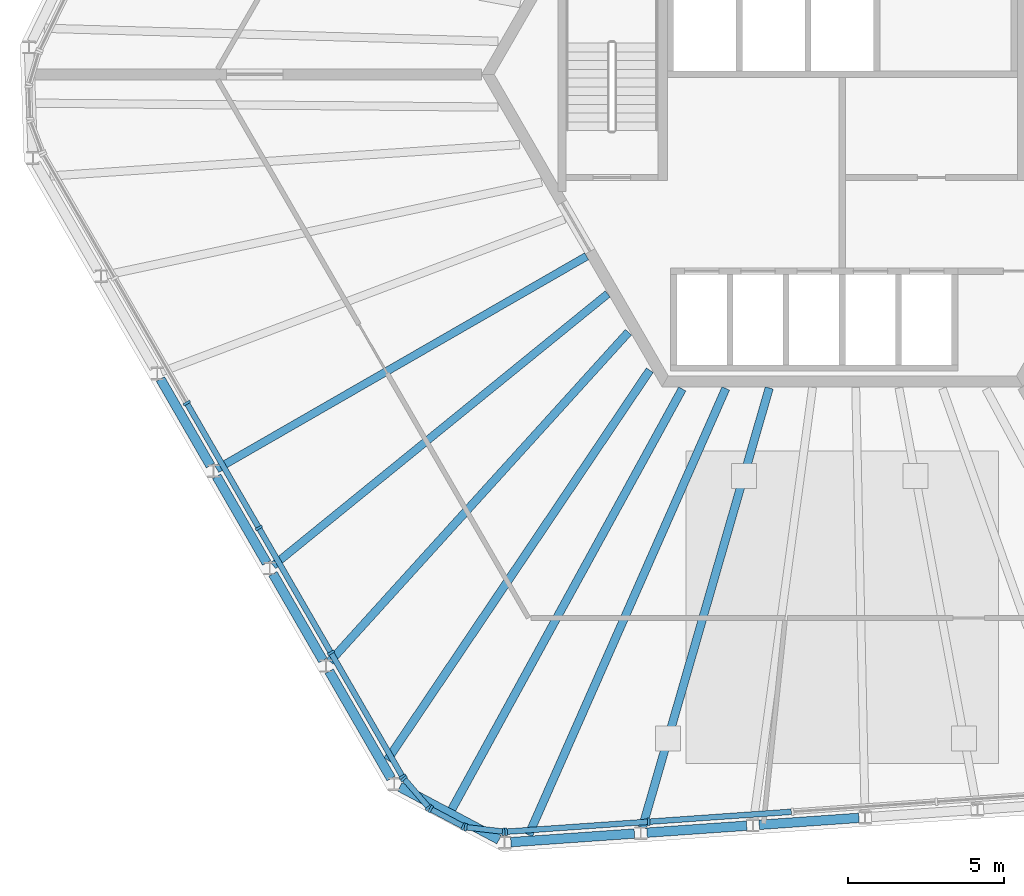
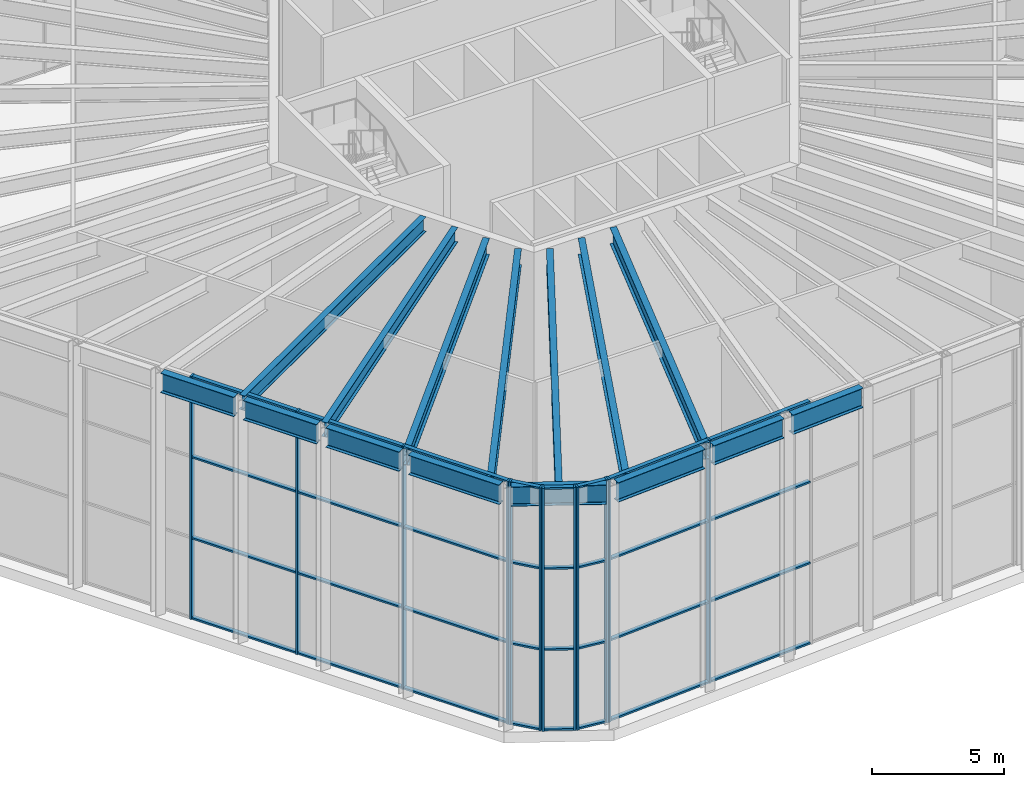
# One storey, part 2 of 17: 44 members, 15 beams, 5 elements without a shape of their own.
"""IFC4 building model written with IfcOpenShell, lengths in metres."""

from ifc_helpers import new_model, si_unit, direction, frame, origin, origin_2d, place, context, subcontext, project, spatial, rectangle, i_section, extrude, material, material_profile, profile_set, type_object, element, aggregate, save


model = new_model("IFC4")

# Units and contexts
model_context = context("Model", 3, precision=1e-05, world=origin(), true_north=direction((0.0, 1.0)))
body_context = subcontext(model_context, "Body", "Model", "MODEL_VIEW")
ifc_project = project(units=[si_unit("LENGTHUNIT", "METRE"), si_unit("AREAUNIT", "SQUARE_METRE"), si_unit("VOLUMEUNIT", "CUBIC_METRE"), si_unit("PLANEANGLEUNIT", "RADIAN"), si_unit("MASSUNIT", "GRAM", prefix="KILO")], contexts=[model_context])

# Site, building, storey
site_placement = place(None, origin())
site = spatial("IfcSite", under=ifc_project, at=site_placement, CompositionType="ELEMENT")
building_placement = place(site_placement, origin())
building = spatial("IfcBuilding", under=site, at=building_placement, Name="Tarnside Tower", CompositionType="ELEMENT")
storey_placement = place(building_placement, frame((0.0, 0.0, 376.800048828125)))
storey = spatial("IfcBuildingStorey", under=building, at=storey_placement, Name="L91", CompositionType="ELEMENT", Elevation=376.800048828125)

# Curtain wall, members
ifc_material_1 = material(Name="Damper hall glazing wall", Category="glass")
curtain_wall_type = type_object("IfcCurtainWallType", Name="Damper hall glazing wall", PredefinedType="NOTDEFINED", material=ifc_material_1)
curtain_wall_1_placement = place(storey_placement, origin())
curtain_wall_1 = element("IfcCurtainWall", 1, at=curtain_wall_1_placement, inside=storey, type_object=curtain_wall_type, Name="Damper hall glazing L91 12", PredefinedType="NOTDEFINED")
ifc_material_2 = material(Name="Aluminium alloy 6063", Category="aluminium")
ifc_material_profile_1 = material_profile(ifc_material_2, rectangle(XDim=0.239990234375, YDim=0.080078125, at=origin_2d()), Name="Damper hall glazing mullion 80 x 240")
ifc_profile_set_1 = profile_set([ifc_material_profile_1], Name="Aluminium alloy 6063")
member_type_1 = type_object("IfcMemberType", Name="Damper hall glazing mullion 80 x 240", PredefinedType="MULLION", material=ifc_profile_set_1)
member_1_placement = place(storey_placement, frame((-6.197509765625, -23.920654296875, 0.0), z_axis=(0.0, 0.0, 1.0), x_axis=(0.069756473744, -0.99756405026, 0.0)))
member_1 = element("IfcMember", 2, at=member_1_placement, type_object=member_type_1, Name="CW5 mullion 5", PredefinedType="MULLION", context=body_context, shape_type="SweptSolid", body=[
    extrude(rectangle(XDim=0.239990234375, YDim=0.080078125, at=origin_2d()), origin(), (0.0, 0.0, 1.0), 11.199951171875),
])
member_2_placement = place(storey_placement, frame((-10.760498046875, -24.23974609375, 0.0), z_axis=(0.0, 0.0, 1.0), x_axis=(0.069756473744, -0.99756405026, 0.0)))
member_2 = element("IfcMember", 3, at=member_2_placement, type_object=member_type_1, Name="CW5 mullion 6", PredefinedType="MULLION", context=body_context, shape_type="SweptSolid", body=[
    extrude(rectangle(XDim=0.239990234375, YDim=0.080078125, at=origin_2d()), origin(), (0.0, 0.0, 1.0), 11.199951171875),
])

curtain_wall_2_placement = place(storey_placement, origin())
curtain_wall_2 = element("IfcCurtainWall", 4, at=curtain_wall_2_placement, inside=storey, type_object=curtain_wall_type, Name="Damper hall glazing L91 13", PredefinedType="NOTDEFINED")
member_3_placement = place(storey_placement, frame((-10.840087890625, -24.23779296875, 0.0), z_axis=(0.0, 0.0, 1.0), x_axis=(-0.11609291394, -0.993238357764, 0.0)))
member_3 = element("IfcMember", 5, at=member_3_placement, type_object=member_type_1, Name="CW5 mullion 1", PredefinedType="MULLION", context=body_context, shape_type="SweptSolid", body=[
    extrude(rectangle(XDim=0.239990234375, YDim=0.080078125, at=origin_2d()), origin(), (0.0, 0.0, 1.0), 11.199951171875),
])
member_4_placement = place(storey_placement, frame((-12.05224609375, -24.09619140625, 0.0), z_axis=(0.0, 0.0, 1.0), x_axis=(-0.11609291394, -0.993238357764, 0.0)))
member_4 = element("IfcMember", 6, at=member_4_placement, type_object=member_type_1, Name="CW5 mullion 2", PredefinedType="MULLION", context=body_context, shape_type="SweptSolid", body=[
    extrude(rectangle(XDim=0.239990234375, YDim=0.080078125, at=origin_2d()), origin(), (0.0, 0.0, 1.0), 11.199951171875),
])

curtain_wall_3_placement = place(storey_placement, origin())
curtain_wall_3 = element("IfcCurtainWall", 7, at=curtain_wall_3_placement, inside=storey, type_object=curtain_wall_type, Name="Damper hall glazing L91 14", PredefinedType="NOTDEFINED")
member_5_placement = place(storey_placement, frame((-12.127197265625, -24.07275390625, 0.0), z_axis=(0.0, 0.0, 1.0), x_axis=(-0.469471563032, -0.882947592728, 0.0)))
member_5 = element("IfcMember", 8, at=member_5_placement, type_object=member_type_1, Name="CW5 mullion 1", PredefinedType="MULLION", context=body_context, shape_type="SweptSolid", body=[
    extrude(rectangle(XDim=0.239990234375, YDim=0.080078125, at=origin_2d()), origin(), (0.0, 0.0, 1.0), 11.199951171875),
])
member_6_placement = place(storey_placement, frame((-13.17578125, -23.51513671875, 0.0), z_axis=(0.0, 0.0, 1.0), x_axis=(-0.469471563032, -0.882947592728, 0.0)))
member_6 = element("IfcMember", 9, at=member_6_placement, type_object=member_type_1, Name="CW5 mullion 2", PredefinedType="MULLION", context=body_context, shape_type="SweptSolid", body=[
    extrude(rectangle(XDim=0.239990234375, YDim=0.080078125, at=origin_2d()), origin(), (0.0, 0.0, 1.0), 11.199951171875),
])

curtain_wall_4_placement = place(storey_placement, origin())
curtain_wall_4 = element("IfcCurtainWall", 10, at=curtain_wall_4_placement, inside=storey, type_object=curtain_wall_type, Name="Damper hall glazing L91 15", PredefinedType="NOTDEFINED")
member_7_placement = place(storey_placement, frame((-13.237060546875, -23.466064453125, 0.0), z_axis=(0.0, 0.0, 1.0), x_axis=(-0.758513583322, -0.651657228852, 0.0)))
member_7 = element("IfcMember", 11, at=member_7_placement, type_object=member_type_1, Name="CW5 mullion 1", PredefinedType="MULLION", context=body_context, shape_type="SweptSolid", body=[
    extrude(rectangle(XDim=0.239990234375, YDim=0.080078125, at=origin_2d()), origin(), (0.0, 0.0, 1.0), 11.199951171875),
])
member_8_placement = place(storey_placement, frame((-14.0322265625, -22.54052734375, 0.0), z_axis=(0.0, 0.0, 1.0), x_axis=(-0.758513583322, -0.651657228852, 0.0)))
member_8 = element("IfcMember", 12, at=member_8_placement, type_object=member_type_1, Name="CW5 mullion 2", PredefinedType="MULLION", context=body_context, shape_type="SweptSolid", body=[
    extrude(rectangle(XDim=0.239990234375, YDim=0.080078125, at=origin_2d()), origin(), (0.0, 0.0, 1.0), 11.199951171875),
])

curtain_wall_5_placement = place(storey_placement, origin())
curtain_wall_5 = element("IfcCurtainWall", 13, at=curtain_wall_5_placement, inside=storey, type_object=curtain_wall_type, Name="Damper hall glazing L91 16", PredefinedType="NOTDEFINED")
member_9_placement = place(storey_placement, frame((-14.078369140625, -22.4755859375, 0.0), z_axis=(0.0, 0.0, 1.0), x_axis=(-0.866025403767, -0.50000000003, 0.0)))
member_9 = element("IfcMember", 14, at=member_9_placement, type_object=member_type_1, Name="CW5 mullion 1", PredefinedType="MULLION", context=body_context, shape_type="SweptSolid", body=[
    extrude(rectangle(XDim=0.239990234375, YDim=0.080078125, at=origin_2d()), origin(), (0.0, 0.0, 1.0), 11.199951171875),
])
member_10_placement = place(storey_placement, frame((-16.365478515625, -18.51416015625, 0.0), z_axis=(0.0, 0.0, 1.0), x_axis=(-0.866025403767, -0.50000000003, 0.0)))
member_10 = element("IfcMember", 15, at=member_10_placement, type_object=member_type_1, Name="CW5 mullion 2", PredefinedType="MULLION", context=body_context, shape_type="SweptSolid", body=[
    extrude(rectangle(XDim=0.239990234375, YDim=0.080078125, at=origin_2d()), origin(), (0.0, 0.0, 1.0), 11.199951171875),
])
member_11_placement = place(storey_placement, frame((-18.672607421875, -14.51806640625, 0.0), z_axis=(0.0, 0.0, 1.0), x_axis=(-0.866025403767, -0.50000000003, 0.0)))
member_11 = element("IfcMember", 16, at=member_11_placement, type_object=member_type_1, Name="CW5 mullion 3", PredefinedType="MULLION", context=body_context, shape_type="SweptSolid", body=[
    extrude(rectangle(XDim=0.239990234375, YDim=0.080078125, at=origin_2d()), origin(), (0.0, 0.0, 1.0), 11.199951171875),
])
member_12_placement = place(storey_placement, frame((-20.979736328125, -10.52197265625, 0.0), z_axis=(0.0, 0.0, 1.0), x_axis=(-0.866025403767, -0.50000000003, 0.0)))
member_12 = element("IfcMember", 17, at=member_12_placement, type_object=member_type_1, Name="CW5 mullion 4", PredefinedType="MULLION", context=body_context, shape_type="SweptSolid", body=[
    extrude(rectangle(XDim=0.239990234375, YDim=0.080078125, at=origin_2d()), origin(), (0.0, 0.0, 1.0), 11.199951171875),
])

# Member
ifc_material_profile_2 = material_profile(ifc_material_2, rectangle(XDim=0.179931640625, YDim=0.080078125, at=origin_2d()), Name="Damper hall glazing transom 80 x 180")
ifc_profile_set_2 = profile_set([ifc_material_profile_2], Name="Aluminium alloy 6063")
member_type_2 = type_object("IfcMemberType", Name="Damper hall glazing transom 80 x 180", PredefinedType="USERDEFINED", material=ifc_profile_set_2)
member_13_placement = place(storey_placement, frame((-1.63427734375, -23.6015625, 0.0400390625), z_axis=(-0.997566050815, -0.069727858574, 0.0), x_axis=(0.069727858574, -0.997566050815, 0.0)))
member_13 = element("IfcMember", 18, at=member_13_placement, type_object=member_type_2, Name="CW5 transom 4.1", ObjectType="TRANSOM", PredefinedType="USERDEFINED", context=body_context, shape_type="SweptSolid", body=[
    extrude(rectangle(XDim=0.179931640625, YDim=0.080078125, at=origin_2d()), origin(), (0.0, 0.0, 1.0), 4.5341796875),
])

member_14_placement = place(storey_placement, frame((-1.63427734375, -23.6015625, 3.733154296875), z_axis=(-0.997566050815, -0.069727858574, 0.0), x_axis=(0.069727858574, -0.997566050815, 0.0)))
member_14 = element("IfcMember", 19, at=member_14_placement, type_object=member_type_2, Name="CW5 transom 4.2", ObjectType="TRANSOM", PredefinedType="USERDEFINED", context=body_context, shape_type="SweptSolid", body=[
    extrude(rectangle(XDim=0.179931640625, YDim=0.080078125, at=origin_2d()), origin(), (0.0, 0.0, 1.0), 4.5341796875),
])

member_15_placement = place(storey_placement, frame((-1.63427734375, -23.6015625, 7.466552734375), z_axis=(-0.997566050815, -0.069727858574, 0.0), x_axis=(0.069727858574, -0.997566050815, 0.0)))
member_15 = element("IfcMember", 20, at=member_15_placement, type_object=member_type_2, Name="CW5 transom 4.3", ObjectType="TRANSOM", PredefinedType="USERDEFINED", context=body_context, shape_type="SweptSolid", body=[
    extrude(rectangle(XDim=0.179931640625, YDim=0.080078125, at=origin_2d()), origin(), (0.0, 0.0, 1.0), 4.5341796875),
])

member_16_placement = place(storey_placement, frame((-1.63427734375, -23.6015625, 11.159912109375), z_axis=(-0.997566050815, -0.069727858574, 0.0), x_axis=(0.069727858574, -0.997566050815, 0.0)))
member_16 = element("IfcMember", 21, at=member_16_placement, type_object=member_type_2, Name="CW5 transom 4.4", ObjectType="TRANSOM", PredefinedType="USERDEFINED", context=body_context, shape_type="SweptSolid", body=[
    extrude(rectangle(XDim=0.179931640625, YDim=0.080078125, at=origin_2d()), origin(), (0.0, 0.0, 1.0), 4.5341796875),
])

member_17_placement = place(storey_placement, frame((-6.2373046875, -23.92333984375, 0.0400390625), z_axis=(-0.997564564225, -0.06974912331, 0.0), x_axis=(0.06974912331, -0.997564564225, 0.0)))
member_17 = element("IfcMember", 22, at=member_17_placement, type_object=member_type_2, Name="CW5 transom 5.1", ObjectType="TRANSOM", PredefinedType="USERDEFINED", context=body_context, shape_type="SweptSolid", body=[
    extrude(rectangle(XDim=0.179931640625, YDim=0.080078125, at=origin_2d()), origin(), (0.0, 0.0, 1.0), 4.494384765625),
])

member_18_placement = place(storey_placement, frame((-6.2373046875, -23.92333984375, 3.733154296875), z_axis=(-0.997564564225, -0.06974912331, 0.0), x_axis=(0.06974912331, -0.997564564225, 0.0)))
member_18 = element("IfcMember", 23, at=member_18_placement, type_object=member_type_2, Name="CW5 transom 5.2", ObjectType="TRANSOM", PredefinedType="USERDEFINED", context=body_context, shape_type="SweptSolid", body=[
    extrude(rectangle(XDim=0.179931640625, YDim=0.080078125, at=origin_2d()), origin(), (0.0, 0.0, 1.0), 4.494384765625),
])

member_19_placement = place(storey_placement, frame((-6.2373046875, -23.92333984375, 7.466552734375), z_axis=(-0.997564564225, -0.06974912331, 0.0), x_axis=(0.06974912331, -0.997564564225, 0.0)))
member_19 = element("IfcMember", 24, at=member_19_placement, type_object=member_type_2, Name="CW5 transom 5.3", ObjectType="TRANSOM", PredefinedType="USERDEFINED", context=body_context, shape_type="SweptSolid", body=[
    extrude(rectangle(XDim=0.179931640625, YDim=0.080078125, at=origin_2d()), origin(), (0.0, 0.0, 1.0), 4.494384765625),
])

member_20_placement = place(storey_placement, frame((-6.2373046875, -23.92333984375, 11.159912109375), z_axis=(-0.997564564225, -0.06974912331, 0.0), x_axis=(0.06974912331, -0.997564564225, 0.0)))
member_20 = element("IfcMember", 25, at=member_20_placement, type_object=member_type_2, Name="CW5 transom 5.4", ObjectType="TRANSOM", PredefinedType="USERDEFINED", context=body_context, shape_type="SweptSolid", body=[
    extrude(rectangle(XDim=0.179931640625, YDim=0.080078125, at=origin_2d()), origin(), (0.0, 0.0, 1.0), 4.494384765625),
])

aggregate(curtain_wall_1, [member_1, member_2, member_13, member_14, member_15, member_16, member_17, member_18, member_19, member_20])

member_21_placement = place(storey_placement, frame((-10.8798828125, -24.233154296875, 0.0400390625), z_axis=(-0.993243821028, 0.116046163181, 0.0), x_axis=(-0.116046163181, -0.993243821028, 0.0)))
member_21 = element("IfcMember", 26, at=member_21_placement, type_object=member_type_2, Name="CW5 transom 1.1", ObjectType="TRANSOM", PredefinedType="USERDEFINED", context=body_context, shape_type="SweptSolid", body=[
    extrude(rectangle(XDim=0.179931640625, YDim=0.080078125, at=origin_2d()), origin(), (0.0, 0.0, 1.0), 1.140380859375),
])

member_22_placement = place(storey_placement, frame((-10.8798828125, -24.233154296875, 3.733154296875), z_axis=(-0.993243821028, 0.116046163181, 0.0), x_axis=(-0.116046163181, -0.993243821028, 0.0)))
member_22 = element("IfcMember", 27, at=member_22_placement, type_object=member_type_2, Name="CW5 transom 1.2", ObjectType="TRANSOM", PredefinedType="USERDEFINED", context=body_context, shape_type="SweptSolid", body=[
    extrude(rectangle(XDim=0.179931640625, YDim=0.080078125, at=origin_2d()), origin(), (0.0, 0.0, 1.0), 1.140380859375),
])

member_23_placement = place(storey_placement, frame((-10.8798828125, -24.233154296875, 7.466552734375), z_axis=(-0.993243821028, 0.116046163181, 0.0), x_axis=(-0.116046163181, -0.993243821028, 0.0)))
member_23 = element("IfcMember", 28, at=member_23_placement, type_object=member_type_2, Name="CW5 transom 1.3", ObjectType="TRANSOM", PredefinedType="USERDEFINED", context=body_context, shape_type="SweptSolid", body=[
    extrude(rectangle(XDim=0.179931640625, YDim=0.080078125, at=origin_2d()), origin(), (0.0, 0.0, 1.0), 1.140380859375),
])

member_24_placement = place(storey_placement, frame((-10.8798828125, -24.233154296875, 11.159912109375), z_axis=(-0.993243821028, 0.116046163181, 0.0), x_axis=(-0.116046163181, -0.993243821028, 0.0)))
member_24 = element("IfcMember", 29, at=member_24_placement, type_object=member_type_2, Name="CW5 transom 1.4", ObjectType="TRANSOM", PredefinedType="USERDEFINED", context=body_context, shape_type="SweptSolid", body=[
    extrude(rectangle(XDim=0.179931640625, YDim=0.080078125, at=origin_2d()), origin(), (0.0, 0.0, 1.0), 1.140380859375),
])

aggregate(curtain_wall_2, [member_3, member_4, member_21, member_22, member_23, member_24])

member_25_placement = place(storey_placement, frame((-12.16259765625, -24.053955078125, 0.0400390625), z_axis=(-0.882901557815, 0.469558131872, 0.0), x_axis=(-0.469558131872, -0.882901557815, 0.0)))
member_25 = element("IfcMember", 30, at=member_25_placement, type_object=member_type_2, Name="CW5 transom 1.1", ObjectType="TRANSOM", PredefinedType="USERDEFINED", context=body_context, shape_type="SweptSolid", body=[
    extrude(rectangle(XDim=0.179931640625, YDim=0.080078125, at=origin_2d()), origin(), (0.0, 0.0, 1.0), 1.107421875),
])

member_26_placement = place(storey_placement, frame((-12.16259765625, -24.053955078125, 3.733154296875), z_axis=(-0.882901557815, 0.469558131872, 0.0), x_axis=(-0.469558131872, -0.882901557815, 0.0)))
member_26 = element("IfcMember", 31, at=member_26_placement, type_object=member_type_2, Name="CW5 transom 1.2", ObjectType="TRANSOM", PredefinedType="USERDEFINED", context=body_context, shape_type="SweptSolid", body=[
    extrude(rectangle(XDim=0.179931640625, YDim=0.080078125, at=origin_2d()), origin(), (0.0, 0.0, 1.0), 1.107421875),
])

member_27_placement = place(storey_placement, frame((-12.16259765625, -24.053955078125, 7.466552734375), z_axis=(-0.882901557815, 0.469558131872, 0.0), x_axis=(-0.469558131872, -0.882901557815, 0.0)))
member_27 = element("IfcMember", 32, at=member_27_placement, type_object=member_type_2, Name="CW5 transom 1.3", ObjectType="TRANSOM", PredefinedType="USERDEFINED", context=body_context, shape_type="SweptSolid", body=[
    extrude(rectangle(XDim=0.179931640625, YDim=0.080078125, at=origin_2d()), origin(), (0.0, 0.0, 1.0), 1.107421875),
])

member_28_placement = place(storey_placement, frame((-12.16259765625, -24.053955078125, 11.159912109375), z_axis=(-0.882901557815, 0.469558131872, 0.0), x_axis=(-0.469558131872, -0.882901557815, 0.0)))
member_28 = element("IfcMember", 33, at=member_28_placement, type_object=member_type_2, Name="CW5 transom 1.4", ObjectType="TRANSOM", PredefinedType="USERDEFINED", context=body_context, shape_type="SweptSolid", body=[
    extrude(rectangle(XDim=0.179931640625, YDim=0.080078125, at=origin_2d()), origin(), (0.0, 0.0, 1.0), 1.107421875),
])

aggregate(curtain_wall_3, [member_5, member_6, member_25, member_26, member_27, member_28])

member_29_placement = place(storey_placement, frame((-13.26318359375, -23.435791015625, 0.0400390625), z_axis=(-0.651672458206, 0.758500499153, 0.0), x_axis=(-0.758500499153, -0.651672458206, 0.0)))
member_29 = element("IfcMember", 34, at=member_29_placement, type_object=member_type_2, Name="CW5 transom 1.1", ObjectType="TRANSOM", PredefinedType="USERDEFINED", context=body_context, shape_type="SweptSolid", body=[
    extrude(rectangle(XDim=0.179931640625, YDim=0.080078125, at=origin_2d()), origin(), (0.0, 0.0, 1.0), 1.140380859375),
])

member_30_placement = place(storey_placement, frame((-13.26318359375, -23.435791015625, 3.733154296875), z_axis=(-0.651672458206, 0.758500499153, 0.0), x_axis=(-0.758500499153, -0.651672458206, 0.0)))
member_30 = element("IfcMember", 35, at=member_30_placement, type_object=member_type_2, Name="CW5 transom 1.2", ObjectType="TRANSOM", PredefinedType="USERDEFINED", context=body_context, shape_type="SweptSolid", body=[
    extrude(rectangle(XDim=0.179931640625, YDim=0.080078125, at=origin_2d()), origin(), (0.0, 0.0, 1.0), 1.140380859375),
])

member_31_placement = place(storey_placement, frame((-13.26318359375, -23.435791015625, 7.466552734375), z_axis=(-0.651672458206, 0.758500499153, 0.0), x_axis=(-0.758500499153, -0.651672458206, 0.0)))
member_31 = element("IfcMember", 36, at=member_31_placement, type_object=member_type_2, Name="CW5 transom 1.3", ObjectType="TRANSOM", PredefinedType="USERDEFINED", context=body_context, shape_type="SweptSolid", body=[
    extrude(rectangle(XDim=0.179931640625, YDim=0.080078125, at=origin_2d()), origin(), (0.0, 0.0, 1.0), 1.140380859375),
])

member_32_placement = place(storey_placement, frame((-13.26318359375, -23.435791015625, 11.159912109375), z_axis=(-0.651672458206, 0.758500499153, 0.0), x_axis=(-0.758500499153, -0.651672458206, 0.0)))
member_32 = element("IfcMember", 37, at=member_32_placement, type_object=member_type_2, Name="CW5 transom 1.4", ObjectType="TRANSOM", PredefinedType="USERDEFINED", context=body_context, shape_type="SweptSolid", body=[
    extrude(rectangle(XDim=0.179931640625, YDim=0.080078125, at=origin_2d()), origin(), (0.0, 0.0, 1.0), 1.140380859375),
])

aggregate(curtain_wall_4, [member_7, member_8, member_29, member_30, member_31, member_32])

member_33_placement = place(storey_placement, frame((-14.098388671875, -22.44091796875, 0.0400390625), z_axis=(-0.499995192696, 0.866028179265, 0.0), x_axis=(-0.866028179265, -0.499995192696, 0.0)))
member_33 = element("IfcMember", 38, at=member_33_placement, type_object=member_type_2, Name="CW5 transom 1.1", ObjectType="TRANSOM", PredefinedType="USERDEFINED", context=body_context, shape_type="SweptSolid", body=[
    extrude(rectangle(XDim=0.179931640625, YDim=0.080078125, at=origin_2d()), origin(), (0.0, 0.0, 1.0), 4.494140625),
])

member_34_placement = place(storey_placement, frame((-14.098388671875, -22.44091796875, 3.733154296875), z_axis=(-0.499995192696, 0.866028179265, 0.0), x_axis=(-0.866028179265, -0.499995192696, 0.0)))
member_34 = element("IfcMember", 39, at=member_34_placement, type_object=member_type_2, Name="CW5 transom 1.2", ObjectType="TRANSOM", PredefinedType="USERDEFINED", context=body_context, shape_type="SweptSolid", body=[
    extrude(rectangle(XDim=0.179931640625, YDim=0.080078125, at=origin_2d()), origin(), (0.0, 0.0, 1.0), 4.494140625),
])

member_35_placement = place(storey_placement, frame((-14.098388671875, -22.44091796875, 7.466552734375), z_axis=(-0.499995192696, 0.866028179265, 0.0), x_axis=(-0.866028179265, -0.499995192696, 0.0)))
member_35 = element("IfcMember", 40, at=member_35_placement, type_object=member_type_2, Name="CW5 transom 1.3", ObjectType="TRANSOM", PredefinedType="USERDEFINED", context=body_context, shape_type="SweptSolid", body=[
    extrude(rectangle(XDim=0.179931640625, YDim=0.080078125, at=origin_2d()), origin(), (0.0, 0.0, 1.0), 4.494140625),
])

member_36_placement = place(storey_placement, frame((-14.098388671875, -22.44091796875, 11.159912109375), z_axis=(-0.499995192696, 0.866028179265, 0.0), x_axis=(-0.866028179265, -0.499995192696, 0.0)))
member_36 = element("IfcMember", 41, at=member_36_placement, type_object=member_type_2, Name="CW5 transom 1.4", ObjectType="TRANSOM", PredefinedType="USERDEFINED", context=body_context, shape_type="SweptSolid", body=[
    extrude(rectangle(XDim=0.179931640625, YDim=0.080078125, at=origin_2d()), origin(), (0.0, 0.0, 1.0), 4.494140625),
])

member_37_placement = place(storey_placement, frame((-16.385498046875, -18.4794921875, 0.0400390625), z_axis=(-0.499995891842, 0.866027775618, 0.0), x_axis=(-0.866027775618, -0.499995891842, 0.0)))
member_37 = element("IfcMember", 42, at=member_37_placement, type_object=member_type_2, Name="CW5 transom 2.1", ObjectType="TRANSOM", PredefinedType="USERDEFINED", context=body_context, shape_type="SweptSolid", body=[
    extrude(rectangle(XDim=0.179931640625, YDim=0.080078125, at=origin_2d()), origin(), (0.0, 0.0, 1.0), 4.5341796875),
])

member_38_placement = place(storey_placement, frame((-16.385498046875, -18.4794921875, 3.733154296875), z_axis=(-0.499995891842, 0.866027775618, 0.0), x_axis=(-0.866027775618, -0.499995891842, 0.0)))
member_38 = element("IfcMember", 43, at=member_38_placement, type_object=member_type_2, Name="CW5 transom 2.2", ObjectType="TRANSOM", PredefinedType="USERDEFINED", context=body_context, shape_type="SweptSolid", body=[
    extrude(rectangle(XDim=0.179931640625, YDim=0.080078125, at=origin_2d()), origin(), (0.0, 0.0, 1.0), 4.5341796875),
])

member_39_placement = place(storey_placement, frame((-16.385498046875, -18.4794921875, 7.466552734375), z_axis=(-0.499995891842, 0.866027775618, 0.0), x_axis=(-0.866027775618, -0.499995891842, 0.0)))
member_39 = element("IfcMember", 44, at=member_39_placement, type_object=member_type_2, Name="CW5 transom 2.3", ObjectType="TRANSOM", PredefinedType="USERDEFINED", context=body_context, shape_type="SweptSolid", body=[
    extrude(rectangle(XDim=0.179931640625, YDim=0.080078125, at=origin_2d()), origin(), (0.0, 0.0, 1.0), 4.5341796875),
])

member_40_placement = place(storey_placement, frame((-16.385498046875, -18.4794921875, 11.159912109375), z_axis=(-0.499995891842, 0.866027775618, 0.0), x_axis=(-0.866027775618, -0.499995891842, 0.0)))
member_40 = element("IfcMember", 45, at=member_40_placement, type_object=member_type_2, Name="CW5 transom 2.4", ObjectType="TRANSOM", PredefinedType="USERDEFINED", context=body_context, shape_type="SweptSolid", body=[
    extrude(rectangle(XDim=0.179931640625, YDim=0.080078125, at=origin_2d()), origin(), (0.0, 0.0, 1.0), 4.5341796875),
])

member_41_placement = place(storey_placement, frame((-18.692626953125, -14.4833984375, 0.0400390625), z_axis=(-0.499995891842, 0.866027775618, 0.0), x_axis=(-0.866027775618, -0.499995891842, 0.0)))
member_41 = element("IfcMember", 46, at=member_41_placement, type_object=member_type_2, Name="CW5 transom 3.1", ObjectType="TRANSOM", PredefinedType="USERDEFINED", context=body_context, shape_type="SweptSolid", body=[
    extrude(rectangle(XDim=0.179931640625, YDim=0.080078125, at=origin_2d()), origin(), (0.0, 0.0, 1.0), 4.5341796875),
])

member_42_placement = place(storey_placement, frame((-18.692626953125, -14.4833984375, 3.733154296875), z_axis=(-0.499995891842, 0.866027775618, 0.0), x_axis=(-0.866027775618, -0.499995891842, 0.0)))
member_42 = element("IfcMember", 47, at=member_42_placement, type_object=member_type_2, Name="CW5 transom 3.2", ObjectType="TRANSOM", PredefinedType="USERDEFINED", context=body_context, shape_type="SweptSolid", body=[
    extrude(rectangle(XDim=0.179931640625, YDim=0.080078125, at=origin_2d()), origin(), (0.0, 0.0, 1.0), 4.5341796875),
])

member_43_placement = place(storey_placement, frame((-18.692626953125, -14.4833984375, 7.466552734375), z_axis=(-0.499995891842, 0.866027775618, 0.0), x_axis=(-0.866027775618, -0.499995891842, 0.0)))
member_43 = element("IfcMember", 48, at=member_43_placement, type_object=member_type_2, Name="CW5 transom 3.3", ObjectType="TRANSOM", PredefinedType="USERDEFINED", context=body_context, shape_type="SweptSolid", body=[
    extrude(rectangle(XDim=0.179931640625, YDim=0.080078125, at=origin_2d()), origin(), (0.0, 0.0, 1.0), 4.5341796875),
])

member_44_placement = place(storey_placement, frame((-18.692626953125, -14.4833984375, 11.159912109375), z_axis=(-0.499995891842, 0.866027775618, 0.0), x_axis=(-0.866027775618, -0.499995891842, 0.0)))
member_44 = element("IfcMember", 49, at=member_44_placement, type_object=member_type_2, Name="CW5 transom 3.4", ObjectType="TRANSOM", PredefinedType="USERDEFINED", context=body_context, shape_type="SweptSolid", body=[
    extrude(rectangle(XDim=0.179931640625, YDim=0.080078125, at=origin_2d()), origin(), (0.0, 0.0, 1.0), 4.5341796875),
])

aggregate(curtain_wall_5, [member_9, member_10, member_11, member_12, member_33, member_34, member_35, member_36, member_37, member_38, member_39, member_40, member_41, member_42, member_43, member_44])

# Beams
ifc_material_3 = material(Name="Steel S355", Category="steel")
ifc_material_profile_3 = material_profile(ifc_material_3, i_section(OverallWidth=0.2529296875, OverallDepth=0.677978515625, WebThickness=0.01171875, FlangeThickness=0.01611328125, FilletRadius=0.01513671875, at=origin_2d()), Name="UB 686x254x125")
ifc_profile_set_3 = profile_set([ifc_material_profile_3], Name="Steel S355")
beam_type_1 = type_object("IfcBeamType", Name="Floor beam UB 686x254x125", PredefinedType="BEAM", material=ifc_profile_set_3)
beam_1_placement = place(storey_placement, frame((-20.02001953125, -12.634521484375, 10.861083984375), z_axis=(0.866742850435, 0.498755281896, 0.0), x_axis=(-0.498755281896, 0.866742850435, 0.0)))
element("IfcBeam", 50, at=beam_1_placement, inside=storey, type_object=beam_type_1, Name="Floor beam F3.04", PredefinedType="BEAM", context=body_context, shape_type="SweptSolid", body=[
    extrude(i_section(OverallWidth=0.2529296875, OverallDepth=0.677978515625, WebThickness=0.01171875, FlangeThickness=0.01611328125, FilletRadius=0.01513671875, at=origin_2d()), origin(), (0.0, 0.0, 1.0), 13.655029296875),
])
beam_2_placement = place(storey_placement, frame((-18.214111328125, -15.722900390625, 10.861083984375), z_axis=(0.776219601166, 0.63046263233, 0.0), x_axis=(-0.63046263233, 0.776219601166, 0.0)))
element("IfcBeam", 51, at=beam_2_placement, inside=storey, type_object=beam_type_1, Name="Floor beam F3.05", PredefinedType="BEAM", context=body_context, shape_type="SweptSolid", body=[
    extrude(i_section(OverallWidth=0.2529296875, OverallDepth=0.677978515625, WebThickness=0.01171875, FlangeThickness=0.01611328125, FilletRadius=0.01513671875, at=origin_2d()), origin(), (0.0, 0.0, 1.0), 13.78857421875),
])
ifc_material_profile_4 = material_profile(ifc_material_3, i_section(OverallWidth=0.26513671875, OverallDepth=0.75390625, WebThickness=0.0126953125, FlangeThickness=0.017578125, FilletRadius=0.0166015625, at=origin_2d()), Name="UB 762x267x147")
ifc_profile_set_4 = profile_set([ifc_material_profile_4], Name="Steel S355")
beam_type_2 = type_object("IfcBeamType", Name="Floor beam UB 762x267x147", PredefinedType="BEAM", material=ifc_profile_set_4)
beam_3_placement = place(storey_placement, frame((-16.39892578125, -18.791748046875, 10.822998046875), z_axis=(0.671616029188, 0.740899392183, 0.0), x_axis=(-0.740899392183, 0.671616029188, 0.0)))
element("IfcBeam", 52, at=beam_3_placement, inside=storey, type_object=beam_type_2, Name="Floor beam F3.06", PredefinedType="BEAM", context=body_context, shape_type="SweptSolid", body=[
    extrude(i_section(OverallWidth=0.26513671875, OverallDepth=0.75390625, WebThickness=0.0126953125, FlangeThickness=0.017578125, FilletRadius=0.0166015625, at=origin_2d()), origin(), (0.0, 0.0, 1.0), 14.22216796875),
])
beam_4_placement = place(storey_placement, frame((-14.563232421875, -21.94189453125, 10.822998046875), z_axis=(0.558646652055, 0.829405762065, 0.0), x_axis=(-0.829405762065, 0.558646652055, 0.0)))
element("IfcBeam", 53, at=beam_4_placement, inside=storey, type_object=beam_type_2, Name="Floor beam F3.07", PredefinedType="BEAM", context=body_context, shape_type="SweptSolid", body=[
    extrude(i_section(OverallWidth=0.26513671875, OverallDepth=0.75390625, WebThickness=0.0126953125, FlangeThickness=0.017578125, FilletRadius=0.0166015625, at=origin_2d()), origin(), (0.0, 0.0, 1.0), 15.037353515625),
])
beam_5_placement = place(storey_placement, frame((-12.511474609375, -23.547607421875, 10.822998046875), z_axis=(0.480715213456, 0.876876777861, 0.0), x_axis=(-0.876876777861, 0.480715213456, 0.0)))
element("IfcBeam", 54, at=beam_5_placement, inside=storey, type_object=beam_type_2, Name="Floor beam C3", PredefinedType="BEAM", context=body_context, shape_type="SweptSolid", body=[
    extrude(i_section(OverallWidth=0.26513671875, OverallDepth=0.75390625, WebThickness=0.0126953125, FlangeThickness=0.017578125, FilletRadius=0.0166015625, at=origin_2d()), origin(), (0.0, 0.0, 1.0), 15.36962890625),
])
beam_6_placement = place(storey_placement, frame((-10.0400390625, -24.343994140625, 10.822998046875), z_axis=(0.403899554057, 0.914803339649, 0.0), x_axis=(-0.914803339649, 0.403899554057, 0.0)))
element("IfcBeam", 55, at=beam_6_placement, inside=storey, type_object=beam_type_2, Name="Floor beam F4.01", PredefinedType="BEAM", context=body_context, shape_type="SweptSolid", body=[
    extrude(i_section(OverallWidth=0.26513671875, OverallDepth=0.75390625, WebThickness=0.0126953125, FlangeThickness=0.017578125, FilletRadius=0.0166015625, at=origin_2d()), origin(), (0.0, 0.0, 1.0), 15.619873046875),
])
beam_7_placement = place(storey_placement, frame((-6.401123046875, -24.10400390625, 10.822998046875), z_axis=(0.27738949653, 0.960757548612, 0.0), x_axis=(-0.960757548612, 0.27738949653, 0.0)))
element("IfcBeam", 56, at=beam_7_placement, inside=storey, type_object=beam_type_2, Name="Floor beam F4.02", PredefinedType="BEAM", context=body_context, shape_type="SweptSolid", body=[
    extrude(i_section(OverallWidth=0.26513671875, OverallDepth=0.75390625, WebThickness=0.0126953125, FlangeThickness=0.017578125, FilletRadius=0.0166015625, at=origin_2d()), origin(), (0.0, 0.0, 1.0), 14.64013671875),
])
ifc_material_profile_5 = material_profile(ifc_material_3, i_section(OverallWidth=0.30322265625, OverallDepth=0.903076171875, WebThickness=0.01513671875, FlangeThickness=0.020263671875, FilletRadius=0.01904296875, at=origin_2d()), Name="UB 914x305x201")
ifc_profile_set_5 = profile_set([ifc_material_profile_5], Name="Steel S355")
beam_type_3 = type_object("IfcBeamType", Name="Perimeter girder UB 914x305x201", PredefinedType="BEAM", material=ifc_profile_set_5)
beam_8_placement = place(storey_placement, frame((-21.8232421875, -9.751220703125, 10.74853515625), z_axis=(0.500048565365, -0.865997362742, 0.0), x_axis=(0.865997362742, 0.500048565365, 0.0)))
element("IfcBeam", 57, at=beam_8_placement, inside=storey, type_object=beam_type_3, Name="Perimeter girder R17", PredefinedType="BEAM", context=body_context, shape_type="SweptSolid", body=[
    extrude(i_section(OverallWidth=0.30322265625, OverallDepth=0.903076171875, WebThickness=0.01513671875, FlangeThickness=0.020263671875, FilletRadius=0.01904296875, at=origin_2d()), origin(), (0.0, 0.0, 1.0), 3.197021484375),
])
for number, where, z_axis, x_axis, name in (
    (58, (-20.023193359375, -12.868896484375, 10.74853515625), (0.499991290835, -0.866030431965, 0.0), (0.866030431965, 0.499991290835, 0.0), "Perimeter girder R18"),
    (59, (-18.22314453125, -15.986572265625, 10.74853515625), (0.499991290835, -0.866030431965, 0.0), (0.866030431965, 0.499991290835, 0.0), "Perimeter girder R19"),
):
    element("IfcBeam", number, at=place(storey_placement, frame(where, z_axis=z_axis, x_axis=x_axis)), inside=storey, type_object=beam_type_3, Name=name, PredefinedType="BEAM", context=body_context, shape_type="SweptSolid", body=[
        extrude(i_section(OverallWidth=0.30322265625, OverallDepth=0.903076171875, WebThickness=0.01513671875, FlangeThickness=0.020263671875, FilletRadius=0.01904296875, at=origin_2d()), origin(), (0.0, 0.0, 1.0), 3.19677734375),
    ])
beam_9_placement = place(storey_placement, frame((-16.423095703125, -19.104248046875, 10.74853515625), z_axis=(0.499962445327, -0.866047084899, 0.0), x_axis=(0.866047084899, 0.499962445327, 0.0)))
element("IfcBeam", 60, at=beam_9_placement, inside=storey, type_object=beam_type_3, Name="Perimeter girder R20", PredefinedType="BEAM", context=body_context, shape_type="SweptSolid", body=[
    extrude(i_section(OverallWidth=0.30322265625, OverallDepth=0.903076171875, WebThickness=0.01513671875, FlangeThickness=0.020263671875, FilletRadius=0.01904296875, at=origin_2d()), origin(), (0.0, 0.0, 1.0), 3.962646484375),
])
beam_10_placement = place(storey_placement, frame((-14.1630859375, -22.80517578125, 10.74853515625), z_axis=(0.882964557155, -0.469439656194, 0.0), x_axis=(0.469439656194, 0.882964557155, 0.0)))
element("IfcBeam", 61, at=beam_10_placement, inside=storey, type_object=beam_type_3, Name="Perimeter girder R21", PredefinedType="BEAM", context=body_context, shape_type="SweptSolid", body=[
    extrude(i_section(OverallWidth=0.30322265625, OverallDepth=0.903076171875, WebThickness=0.01513671875, FlangeThickness=0.020263671875, FilletRadius=0.01904296875, at=origin_2d()), origin(), (0.0, 0.0, 1.0), 3.597900390625),
])
beam_11_placement = place(storey_placement, frame((-10.607421875, -24.57470703125, 10.74853515625), z_axis=(0.997565143093, 0.069740843749, 0.0), x_axis=(-0.069740843749, 0.997565143093, 0.0)))
element("IfcBeam", 62, at=beam_11_placement, inside=storey, type_object=beam_type_3, Name="Perimeter girder R22", PredefinedType="BEAM", context=body_context, shape_type="SweptSolid", body=[
    extrude(i_section(OverallWidth=0.30322265625, OverallDepth=0.903076171875, WebThickness=0.01513671875, FlangeThickness=0.020263671875, FilletRadius=0.01904296875, at=origin_2d()), origin(), (0.0, 0.0, 1.0), 3.962890625),
])
for number, where, z_axis, x_axis, name in (
    (63, (-6.252197265625, -24.270263671875, 10.74853515625), (0.997566461939, 0.069721976556, 0.0), (-0.069721976556, 0.997566461939, 0.0), "Perimeter girder R23"),
    (64, (-2.6611328125, -24.01904296875, 10.74853515625), (0.997566461939, 0.069721976556, 0.0), (-0.069721976556, 0.997566461939, 0.0), "Perimeter girder R24"),
):
    element("IfcBeam", number, at=place(storey_placement, frame(where, z_axis=z_axis, x_axis=x_axis)), inside=storey, type_object=beam_type_3, Name=name, PredefinedType="BEAM", context=body_context, shape_type="SweptSolid", body=[
        extrude(i_section(OverallWidth=0.30322265625, OverallDepth=0.903076171875, WebThickness=0.01513671875, FlangeThickness=0.020263671875, FilletRadius=0.01904296875, at=origin_2d()), origin(), (0.0, 0.0, 1.0), 3.197021484375),
    ])

save(model, "model.ifc")
